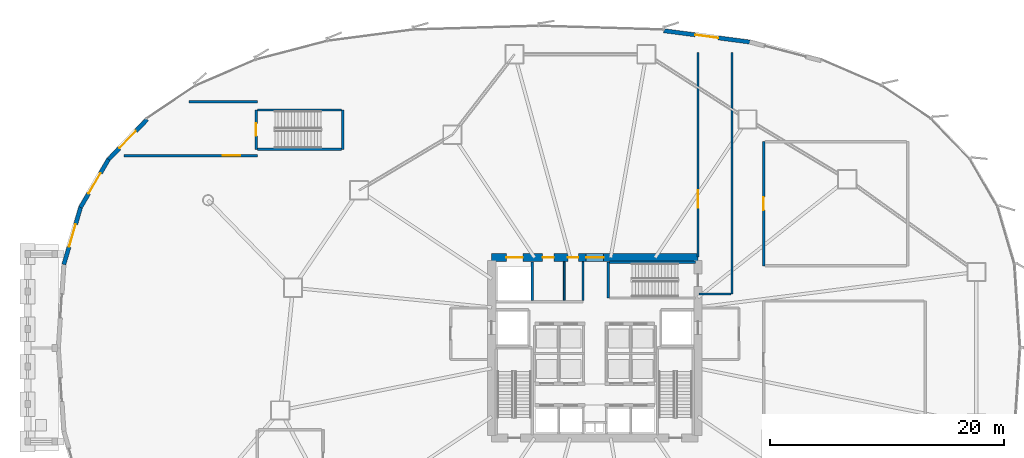
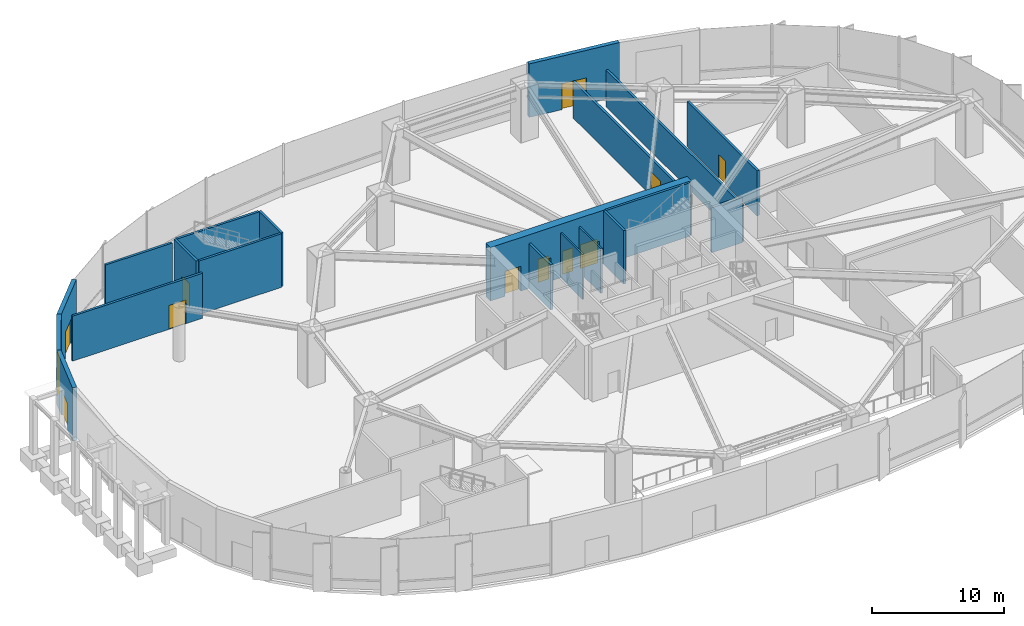
# One storey, part 25 of 35: 20 walls, 12 doors, 12 openings.
"""IFC4 building model written with IfcOpenShell, lengths in metres."""

from ifc_helpers import new_model, si_unit, direction, frame, frame_2d, origin, place, context, subcontext, project, spatial, rectangle, extrude, source, transform, mapped, material, layer, layer_set, type_object, element, fill, save


model = new_model("IFC4")

# Units and contexts
model_context = context("Model", 3, precision=1e-05, world=origin(), true_north=direction((0.0, 1.0)))
body_context = subcontext(model_context, "Body", "Model", "MODEL_VIEW")
ifc_project = project(units=[si_unit("LENGTHUNIT", "METRE"), si_unit("AREAUNIT", "SQUARE_METRE"), si_unit("VOLUMEUNIT", "CUBIC_METRE"), si_unit("PLANEANGLEUNIT", "RADIAN"), si_unit("MASSUNIT", "GRAM", prefix="KILO"), si_unit("THERMODYNAMICTEMPERATUREUNIT", "KELVIN")], contexts=[model_context])

# Site, building, storey
site_placement = place(None, origin())
site = spatial("IfcSite", under=ifc_project, at=site_placement, CompositionType="ELEMENT")
building_placement = place(site_placement, origin())
building = spatial("IfcBuilding", under=site, at=building_placement, Name="Kethvar Cultural Tower", CompositionType="ELEMENT")
storey_placement = place(building_placement, origin())
storey = spatial("IfcBuildingStorey", under=building, at=storey_placement, Name="L00", CompositionType="ELEMENT", Elevation=0.0)

# Wall, openings, doors
ifc_material_1 = material(Name="Concrete C60/75", Category="concrete")
ifc_layer_1 = layer(ifc_material_1, 0.699951171875, Name="Concrete C60/75", Category="concrete")
ifc_layer_set_1 = layer_set([ifc_layer_1], Name="Concrete C60/75 (700 mm)")
wall_type_1 = type_object("IfcWallType", Name="WL-CORE-700", PredefinedType="SHEAR", material=ifc_layer_set_1)
wall_1_placement = place(storey_placement, frame((55.60009765625, 35.5, 0.0), z_axis=(0.0, 0.0, 1.0), x_axis=(-1.0, 0.0, 0.0)))
wall_1 = element("IfcWall", 1, at=wall_1_placement, inside=storey, type_object=wall_type_1, Name="L00 Core Shear Wall N", PredefinedType="SHEAR", context=body_context, shape_type="SweptSolid", body=[
    extrude(rectangle(XDim=17.60009765625, YDim=0.699951171875, at=frame_2d((8.800048828125, 0.0))), origin(), (0.0, 0.0, 1.0), 4.949951171875),
])
opening_1_placement = place(wall_1_placement, frame((8.050048828125, 0.0, 0.0)))
opening_1 = element("IfcOpeningElement", 2, at=opening_1_placement, cuts=wall_1, Name="Opening D-L00-LN", PredefinedType="OPENING", context=body_context, shape_type="SweptSolid", body=[
    extrude(rectangle(XDim=1.5, YDim=2.199951171875, at=frame_2d((0.75, 1.10009765625))), frame((0.0, 0.35986328125, 0.0), z_axis=(0.0, -1.0, 0.0), x_axis=(1.0, 0.0, 0.0)), (0.0, 0.0, 1.0), 0.719970703125),
])
opening_2_placement = place(wall_1_placement, frame((14.949951171875, 0.0, 0.0)))
opening_2 = element("IfcOpeningElement", 3, at=opening_2_placement, cuts=wall_1, Name="Opening LD-G1", PredefinedType="OPENING", context=body_context, shape_type="SweptSolid", body=[
    extrude(rectangle(XDim=1.39990234375, YDim=2.300048828125, at=frame_2d((0.699951171875, 1.14990234375))), frame((0.0, 0.35986328125, 0.0), z_axis=(0.0, -1.0, 0.0), x_axis=(1.0, 0.0, 0.0)), (0.0, 0.0, 1.0), 0.719970703125),
])
opening_3_placement = place(wall_1_placement, frame((12.300048828125, 0.0, 0.0)))
opening_3 = element("IfcOpeningElement", 4, at=opening_3_placement, cuts=wall_1, Name="Opening D-L00-W1", PredefinedType="OPENING", context=body_context, shape_type="SweptSolid", body=[
    extrude(rectangle(XDim=0.949951171875, YDim=2.14990234375, at=frame_2d((0.47509765625, 1.074951171875))), frame((0.0, 0.35986328125, 0.0), z_axis=(0.0, -1.0, 0.0), x_axis=(1.0, 0.0, 0.0)), (0.0, 0.0, 1.0), 0.719970703125),
])
opening_4_placement = place(wall_1_placement, frame((10.199951171875, 0.0, 0.0)))
opening_4 = element("IfcOpeningElement", 5, at=opening_4_placement, cuts=wall_1, Name="Opening D-L00-W2", PredefinedType="OPENING", context=body_context, shape_type="SweptSolid", body=[
    extrude(rectangle(XDim=0.89990234375, YDim=2.14990234375, at=frame_2d((0.449951171875, 1.074951171875))), frame((0.0, 0.35986328125, 0.0), z_axis=(0.0, -1.0, 0.0), x_axis=(1.0, 0.0, 0.0)), (0.0, 0.0, 1.0), 0.719970703125),
])
ifc_material_2 = material(Name="Architectural Oak Timber", Category="wood")
door_type_1 = type_object("IfcDoorType", Name="DR-DBL-FD60-1500", OperationType="DOUBLE_DOOR_SINGLE_SWING", PredefinedType="DOOR", material=ifc_material_2)
shared_shape_1 = source(origin(), body_context, "Body", "SweptSolid", [
    extrude(rectangle(XDim=1.5, YDim=2.199951171875, at=frame_2d((0.75, 1.10009765625))), frame((0.0, 0.02490234375, 0.0), z_axis=(0.0, -1.0, 0.0), x_axis=(1.0, 0.0, 0.0)), (0.0, 0.0, 1.0), 0.050048828125),
])
door_1_placement = place(opening_1_placement, origin())
door_1 = element("IfcDoor", 6, at=door_1_placement, inside=storey, type_object=door_type_1, Name="L00 Lift Lobby Concourse Door", OperationType="DOUBLE_DOOR_SINGLE_SWING", OverallHeight=2.199951171875, OverallWidth=1.5, PredefinedType="DOOR", context=body_context, shape_type="MappedRepresentation", body=[
    mapped(shared_shape_1, transform((0.0, 0.0, 0.0), scale=1.0)),
])
fill(opening_1, door_1)
ifc_material_3 = material(Name="Steel S355J2", Category="steel")
door_type_2 = type_object("IfcDoorType", Name="DR-LIFT-SLIDE-1400", OperationType="NOTDEFINED", PredefinedType="DOOR", material=ifc_material_3)
shared_shape_2 = source(origin(), body_context, "Body", "SweptSolid", [
    extrude(rectangle(XDim=1.39990234375, YDim=2.300048828125, at=frame_2d((0.699951171875, 1.14990234375))), frame((0.0, 0.02490234375, 0.0), z_axis=(0.0, -1.0, 0.0), x_axis=(1.0, 0.0, 0.0)), (0.0, 0.0, 1.0), 0.050048828125),
])
door_2_placement = place(opening_2_placement, origin())
door_2 = element("IfcDoor", 7, at=door_2_placement, inside=storey, type_object=door_type_2, Name="L00 Goods Lift Landing Door", OperationType="SLIDING_TO_RIGHT", OverallHeight=2.300048828125, OverallWidth=1.39990234375, PredefinedType="DOOR", context=body_context, shape_type="MappedRepresentation", body=[
    mapped(shared_shape_2, transform((0.0, 0.0, 0.0), scale=1.0)),
])
fill(opening_2, door_2)
door_type_3 = type_object("IfcDoorType", Name="DR-FD30-950", OperationType="NOTDEFINED", PredefinedType="DOOR", material=ifc_material_2)
shared_shape_3 = source(origin(), body_context, "Body", "SweptSolid", [
    extrude(rectangle(XDim=0.949951171875, YDim=2.14990234375, at=frame_2d((0.47509765625, 1.074951171875))), frame((0.0, 0.02490234375, 0.0), z_axis=(0.0, -1.0, 0.0), x_axis=(1.0, 0.0, 0.0)), (0.0, 0.0, 1.0), 0.050048828125),
])
door_3_placement = place(opening_3_placement, origin())
door_3 = element("IfcDoor", 8, at=door_3_placement, inside=storey, type_object=door_type_3, Name="L00 Public Washroom Door", OperationType="SINGLE_SWING_LEFT", OverallHeight=2.14990234375, OverallWidth=0.949951171875, PredefinedType="DOOR", context=body_context, shape_type="MappedRepresentation", body=[
    mapped(shared_shape_3, transform((0.0, 0.0, 0.0), scale=1.0)),
])
fill(opening_3, door_3)
door_type_4 = type_object("IfcDoorType", Name="DR-FD30-900", OperationType="NOTDEFINED", PredefinedType="DOOR", material=ifc_material_2)
shared_shape_4 = source(origin(), body_context, "Body", "SweptSolid", [
    extrude(rectangle(XDim=0.89990234375, YDim=2.14990234375, at=frame_2d((0.449951171875, 1.074951171875))), frame((0.0, 0.02490234375, 0.0), z_axis=(0.0, -1.0, 0.0), x_axis=(1.0, 0.0, 0.0)), (0.0, 0.0, 1.0), 0.050048828125),
])
door_4_placement = place(opening_4_placement, origin())
door_4 = element("IfcDoor", 9, at=door_4_placement, inside=storey, type_object=door_type_4, Name="L00 Accessible Washroom Door", OperationType="SINGLE_SWING_RIGHT", OverallHeight=2.14990234375, OverallWidth=0.89990234375, PredefinedType="DOOR", context=body_context, shape_type="MappedRepresentation", body=[
    mapped(shared_shape_4, transform((0.0, 0.0, 0.0), scale=1.0)),
])
fill(opening_4, door_4)

# Wall, opening, door
ifc_material_4 = material(Name="Concrete C40/50", Category="concrete")
ifc_layer_2 = layer(ifc_material_4, 0.35009765625, Name="Concrete C40/50", Category="concrete")
ifc_layer_set_2 = layer_set([ifc_layer_2], Name="Concrete C40/50 (350 mm)")
wall_type_2 = type_object("IfcWallType", Name="WL-EXT-PORTAL-350", PredefinedType="SOLIDWALL", material=ifc_layer_set_2)
wall_2_placement = place(storey_placement, frame((52.687255859375, 54.85888671875, 0.0), z_axis=(0.0, 0.0, 1.0), x_axis=(0.991427089323, -0.130661113403, 0.0)))
wall_2 = element("IfcWall", 10, at=wall_2_placement, inside=storey, type_object=wall_type_2, Name="L00 Exterior Portal Wall 08", PredefinedType="SOLIDWALL", context=body_context, shape_type="SweptSolid", body=[
    extrude(rectangle(XDim=7.3974609375, YDim=0.35009765625, at=frame_2d((3.69873046875, 0.0))), origin(), (0.0, 0.0, 1.0), 4.949951171875),
])
opening_5_placement = place(wall_2_placement, frame((2.69873046875, 0.0, 0.0)))
opening_5 = element("IfcOpeningElement", 11, at=opening_5_placement, cuts=wall_2, Name="Opening EX-01", PredefinedType="OPENING", context=body_context, shape_type="SweptSolid", body=[
    extrude(rectangle(XDim=2.0, YDim=2.39990234375, at=frame_2d((1.0, 1.199951171875))), frame((0.0, 0.18505859375, 0.0), z_axis=(0.0, -1.0, 0.0), x_axis=(1.0, 0.0, 0.0)), (0.0, 0.0, 1.0), 0.3701171875),
])
ifc_material_5 = material(Name="Aluminium 6063-T6", Category="aluminium")
door_type_5 = type_object("IfcDoorType", Name="DR-EXT-EXIT-2000", OperationType="DOUBLE_DOOR_SINGLE_SWING", PredefinedType="DOOR", material=ifc_material_5)
shared_shape_5 = source(origin(), body_context, "Body", "SweptSolid", [
    extrude(rectangle(XDim=2.0, YDim=2.39990234375, at=frame_2d((1.0, 1.199951171875))), frame((0.0, 0.02490234375, 0.0), z_axis=(0.0, -1.0, 0.0), x_axis=(1.0, 0.0, 0.0)), (0.0, 0.0, 1.0), 0.050048828125),
])
door_5_placement = place(opening_5_placement, origin())
door_5 = element("IfcDoor", 12, at=door_5_placement, inside=storey, type_object=door_type_5, Name="Ground Pedestrian Exit Door EX-01", OperationType="DOUBLE_DOOR_SINGLE_SWING", OverallHeight=2.39990234375, OverallWidth=2.0, PredefinedType="DOOR", context=body_context, shape_type="MappedRepresentation", body=[
    mapped(shared_shape_5, transform((0.0, 0.0, 0.0), scale=1.0)),
])
fill(opening_5, door_5)

wall_3_placement = place(storey_placement, frame((5.27392578125, 43.84130859375, 0.0), z_axis=(0.0, 0.0, 1.0), x_axis=(0.693368389068, 0.720583289455, 0.0)))
wall_3 = element("IfcWall", 13, at=wall_3_placement, inside=storey, type_object=wall_type_2, Name="L00 Exterior Portal Wall 15", PredefinedType="SOLIDWALL", context=body_context, shape_type="SweptSolid", body=[
    extrude(rectangle(XDim=4.79052734375, YDim=0.35009765625, at=frame_2d((2.395263671875, 0.0))), origin(), (0.0, 0.0, 1.0), 4.949951171875),
])
opening_6_placement = place(wall_3_placement, frame((1.395263671875, 0.0, 0.0)))
opening_6 = element("IfcOpeningElement", 14, at=opening_6_placement, cuts=wall_3, Name="Opening EX-02", PredefinedType="OPENING", context=body_context, shape_type="SweptSolid", body=[
    extrude(rectangle(XDim=2.0, YDim=2.39990234375, at=frame_2d((1.0, 1.199951171875))), frame((0.0, 0.18505859375, 0.0), z_axis=(0.0, -1.0, 0.0), x_axis=(1.0, 0.0, 0.0)), (0.0, 0.0, 1.0), 0.3701171875),
])
door_6_placement = place(opening_6_placement, origin())
door_6 = element("IfcDoor", 15, at=door_6_placement, inside=storey, type_object=door_type_5, Name="Ground Pedestrian Exit Door EX-02", OperationType="DOUBLE_DOOR_SINGLE_SWING", OverallHeight=2.39990234375, OverallWidth=2.0, PredefinedType="DOOR", context=body_context, shape_type="MappedRepresentation", body=[
    mapped(shared_shape_5, transform((0.0, 0.0, 0.0), scale=1.0)),
])
fill(opening_6, door_6)

wall_4_placement = place(storey_placement, frame((2.9150390625, 39.781005859375, 0.0), z_axis=(0.0, 0.0, 1.0), x_axis=(0.503519292696, 0.863983982423, 0.0)))
wall_4 = element("IfcWall", 16, at=wall_4_placement, inside=storey, type_object=wall_type_2, Name="L00 Exterior Portal Wall 16", PredefinedType="SOLIDWALL", context=body_context, shape_type="SweptSolid", body=[
    extrude(rectangle(XDim=4.747802734375, YDim=0.35009765625, at=frame_2d((2.3740234375, 0.0))), origin(), (0.0, 0.0, 1.0), 4.949951171875),
])
opening_7_placement = place(wall_4_placement, frame((1.373779296875, 0.0, 0.0)))
opening_7 = element("IfcOpeningElement", 17, at=opening_7_placement, cuts=wall_4, Name="Opening EX-03", PredefinedType="OPENING", context=body_context, shape_type="SweptSolid", body=[
    extrude(rectangle(XDim=2.0, YDim=2.39990234375, at=frame_2d((1.0, 1.199951171875))), frame((0.0, 0.18505859375, 0.0), z_axis=(0.0, -1.0, 0.0), x_axis=(1.0, 0.0, 0.0)), (0.0, 0.0, 1.0), 0.3701171875),
])
door_7_placement = place(opening_7_placement, origin())
door_7 = element("IfcDoor", 18, at=door_7_placement, inside=storey, type_object=door_type_5, Name="Ground Pedestrian Exit Door EX-03", OperationType="DOUBLE_DOOR_SINGLE_SWING", OverallHeight=2.39990234375, OverallWidth=2.0, PredefinedType="DOOR", context=body_context, shape_type="MappedRepresentation", body=[
    mapped(shared_shape_5, transform((0.0, 0.0, 0.0), scale=1.0)),
])
fill(opening_7, door_7)

wall_5_placement = place(storey_placement, frame((1.493408203125, 34.91650390625, 0.0), z_axis=(0.0, 0.0, 1.0), x_axis=(0.281735210535, 0.959492194416, 0.0)))
wall_5 = element("IfcWall", 19, at=wall_5_placement, inside=storey, type_object=wall_type_2, Name="L00 Exterior Portal Wall 17", PredefinedType="SOLIDWALL", context=body_context, shape_type="SweptSolid", body=[
    extrude(rectangle(XDim=5.12060546875, YDim=0.35009765625, at=frame_2d((2.560302734375, 0.0))), origin(), (0.0, 0.0, 1.0), 4.949951171875),
])
opening_8_placement = place(wall_5_placement, frame((1.560302734375, 0.0, 0.0)))
opening_8 = element("IfcOpeningElement", 20, at=opening_8_placement, cuts=wall_5, Name="Opening EX-04", PredefinedType="OPENING", context=body_context, shape_type="SweptSolid", body=[
    extrude(rectangle(XDim=2.0, YDim=2.39990234375, at=frame_2d((1.0, 1.199951171875))), frame((0.0, 0.18505859375, 0.0), z_axis=(0.0, -1.0, 0.0), x_axis=(1.0, 0.0, 0.0)), (0.0, 0.0, 1.0), 0.3701171875),
])
door_8_placement = place(opening_8_placement, origin())
door_8 = element("IfcDoor", 21, at=door_8_placement, inside=storey, type_object=door_type_5, Name="Ground Pedestrian Exit Door EX-04", OperationType="DOUBLE_DOOR_SINGLE_SWING", OverallHeight=2.39990234375, OverallWidth=2.0, PredefinedType="DOOR", context=body_context, shape_type="MappedRepresentation", body=[
    mapped(shared_shape_5, transform((0.0, 0.0, 0.0), scale=1.0)),
])
fill(opening_8, door_8)

# Walls
ifc_material_6 = material(Name="Gypsum Fireboard Partition")
ifc_layer_3 = layer(ifc_material_6, 0.14990234375, Name="Gypsum Fireboard Partition")
ifc_layer_set_3 = layer_set([ifc_layer_3], Name="Gypsum Fireboard Partition (150 mm)")
wall_type_3 = type_object("IfcWallType", Name="WL-FIRE-150", PredefinedType="PARTITIONING", material=ifc_layer_set_3)
wall_6_placement = place(storey_placement, frame((45.800048828125, 31.85009765625, 0.0), z_axis=(0.0, 0.0, 1.0), x_axis=(0.0, 1.0, 0.0)))
element("IfcWall", 22, at=wall_6_placement, inside=storey, type_object=wall_type_3, Name="L00 Sanitary Spine Wall", PredefinedType="PARTITIONING", context=body_context, shape_type="SweptSolid", body=[
    extrude(rectangle(XDim=3.289794921875, YDim=0.14990234375, at=frame_2d((1.64501953125, 0.0))), origin(), (0.0, 0.0, 1.0), 4.1630859375),
])
ifc_layer_4 = layer(ifc_material_4, 0.199951171875, Name="Concrete C40/50", Category="concrete")
ifc_layer_set_4 = layer_set([ifc_layer_4], Name="Concrete C40/50 (200 mm)")
wall_type_4 = type_object("IfcWallType", Name="WL-FIRE-200", PredefinedType="PARTITIONING", material=ifc_layer_set_4)
wall_7_placement = place(storey_placement, frame((41.449951171875, 31.85009765625, 0.0), z_axis=(0.0, 0.0, 1.0), x_axis=(0.0, 1.0, 0.0)))
element("IfcWall", 23, at=wall_7_placement, inside=storey, type_object=wall_type_4, Name="L00 NW Core Pocket Wall", PredefinedType="PARTITIONING", context=body_context, shape_type="SweptSolid", body=[
    extrude(rectangle(XDim=3.289794921875, YDim=0.199951171875, at=frame_2d((1.64501953125, 0.0))), origin(), (0.0, 0.0, 1.0), 4.1630859375),
])

# Wall, opening, door
wall_8_placement = place(storey_placement, frame((61.199951171875, 34.800048828125, 0.0), z_axis=(0.0, 0.0, 1.0), x_axis=(0.0, 1.0, 0.0)))
wall_8 = element("IfcWall", 24, at=wall_8_placement, inside=storey, type_object=wall_type_4, Name="L00 Museum Cafe and Servery Entry Wall", PredefinedType="PARTITIONING", context=body_context, shape_type="SweptSolid", body=[
    extrude(rectangle(XDim=10.599853515625, YDim=0.199951171875, at=frame_2d((5.2998046875, 0.0))), origin(), (0.0, 0.0, 1.0), 4.1630859375),
])
opening_9_placement = place(wall_8_placement, frame((4.75, 0.0, 0.0)))
opening_9 = element("IfcOpeningElement", 25, at=opening_9_placement, cuts=wall_8, Name="Opening D-L00-CA", PredefinedType="OPENING", context=body_context, shape_type="SweptSolid", body=[
    extrude(rectangle(XDim=1.10009765625, YDim=2.14990234375, at=frame_2d((0.550048828125, 1.074951171875))), frame((0.0, 0.10986328125, 0.0), z_axis=(0.0, -1.0, 0.0), x_axis=(1.0, 0.0, 0.0)), (0.0, 0.0, 1.0), 0.219970703125),
])
door_type_6 = type_object("IfcDoorType", Name="DR-FD60-1100", OperationType="NOTDEFINED", PredefinedType="DOOR", material=ifc_material_3)
shared_shape_6 = source(origin(), body_context, "Body", "SweptSolid", [
    extrude(rectangle(XDim=1.10009765625, YDim=2.14990234375, at=frame_2d((0.550048828125, 1.074951171875))), frame((0.0, 0.02490234375, 0.0), z_axis=(0.0, -1.0, 0.0), x_axis=(1.0, 0.0, 0.0)), (0.0, 0.0, 1.0), 0.050048828125),
])
door_9_placement = place(opening_9_placement, origin())
door_9 = element("IfcDoor", 26, at=door_9_placement, inside=storey, type_object=door_type_6, Name="Museum Cafe and Servery Door", OperationType="SINGLE_SWING_LEFT", OverallHeight=2.14990234375, OverallWidth=1.10009765625, PredefinedType="DOOR", context=body_context, shape_type="MappedRepresentation", body=[
    mapped(shared_shape_6, transform((0.0, 0.0, 0.0), scale=1.0)),
])
fill(opening_9, door_9)

wall_9_placement = place(storey_placement, frame((6.632080078125, 44.199951171875, 0.0), z_axis=(0.0, 0.0, 1.0), x_axis=(1.0, 0.0, 0.0)))
wall_9 = element("IfcWall", 27, at=wall_9_placement, inside=storey, type_object=wall_type_4, Name="L00 ST-05 Exit Passageway South Fire Wall", PredefinedType="PARTITIONING", context=body_context, shape_type="SweptSolid", body=[
    extrude(rectangle(XDim=11.367919921875, YDim=0.199951171875, at=frame_2d((5.68408203125, 0.0))), origin(), (0.0, 0.0, 1.0), 4.1630859375),
])
opening_10_placement = place(wall_9_placement, frame((8.39990234375, 0.0, 0.0)))
opening_10 = element("IfcOpeningElement", 28, at=opening_10_placement, cuts=wall_9, Name="Opening D-L00-EN", PredefinedType="OPENING", context=body_context, shape_type="SweptSolid", body=[
    extrude(rectangle(XDim=1.5, YDim=2.199951171875, at=frame_2d((0.75, 1.10009765625))), frame((0.0, 0.10986328125, 0.0), z_axis=(0.0, -1.0, 0.0), x_axis=(1.0, 0.0, 0.0)), (0.0, 0.0, 1.0), 0.219970703125),
])
door_10_placement = place(opening_10_placement, origin())
door_10 = element("IfcDoor", 29, at=door_10_placement, inside=storey, type_object=door_type_1, Name="L00 ST-05 Exit Passageway Lobby Door", OperationType="DOUBLE_DOOR_SINGLE_SWING", OverallHeight=2.199951171875, OverallWidth=1.5, PredefinedType="DOOR", context=body_context, shape_type="MappedRepresentation", body=[
    mapped(shared_shape_1, transform((0.0, 0.0, 0.0), scale=1.0)),
])
fill(opening_10, door_10)

# Walls
wall_10_placement = place(storey_placement, frame((12.165283203125, 48.800048828125, 0.0), z_axis=(0.0, 0.0, 1.0), x_axis=(1.0, 0.0, 0.0)))
element("IfcWall", 30, at=wall_10_placement, inside=storey, type_object=wall_type_4, Name="L00 ST-05 Exit Passageway North Fire Wall", PredefinedType="PARTITIONING", context=body_context, shape_type="SweptSolid", body=[
    extrude(rectangle(XDim=5.834716796875, YDim=0.199951171875, at=frame_2d((2.91748046875, 0.0))), origin(), (0.0, 0.0, 1.0), 4.1630859375),
])
wall_11_placement = place(storey_placement, frame((58.5, 32.39990234375, 0.0), z_axis=(0.0, 0.0, 1.0), x_axis=(0.0, 1.0, 0.0)))
element("IfcWall", 31, at=wall_11_placement, inside=storey, type_object=wall_type_4, Name="L00 ST-03 Exit Passageway East Fire Wall", PredefinedType="PARTITIONING", context=body_context, shape_type="SweptSolid", body=[
    extrude(rectangle(XDim=20.60009765625, YDim=0.199951171875, at=frame_2d((10.300048828125, 0.0))), origin(), (0.0, 0.0, 1.0), 3.405029296875),
])
wall_12_placement = place(storey_placement, frame((55.699951171875, 32.39990234375, 0.0), z_axis=(0.0, 0.0, 1.0), x_axis=(1.0, 0.0, 0.0)))
element("IfcWall", 32, at=wall_12_placement, inside=storey, type_object=wall_type_4, Name="L00 ST-03 Exit Passageway South Fire Wall", PredefinedType="PARTITIONING", context=body_context, shape_type="SweptSolid", body=[
    extrude(rectangle(XDim=2.699951171875, YDim=0.199951171875, at=frame_2d((1.35009765625, 0.0))), origin(), (0.0, 0.0, 1.0), 4.1630859375),
])

# Wall, opening, door
wall_13_placement = place(storey_placement, frame((55.60009765625, 35.550048828125, 0.0), z_axis=(0.0, 0.0, 1.0), x_axis=(0.0, 1.0, 0.0)))
wall_13 = element("IfcWall", 33, at=wall_13_placement, inside=storey, type_object=wall_type_4, Name="L00 ST-03 Exit Passageway West Fire Wall", PredefinedType="PARTITIONING", context=body_context, shape_type="SweptSolid", body=[
    extrude(rectangle(XDim=17.449951171875, YDim=0.199951171875, at=frame_2d((8.72509765625, 0.0))), origin(), (0.0, 0.0, 1.0), 3.405029296875),
])
opening_11_placement = place(wall_13_placement, frame((4.199951171875, 0.0, 0.0)))
opening_11 = element("IfcOpeningElement", 34, at=opening_11_placement, cuts=wall_13, Name="Opening D-L00-EE", PredefinedType="OPENING", context=body_context, shape_type="SweptSolid", body=[
    extrude(rectangle(XDim=1.5, YDim=2.199951171875, at=frame_2d((0.75, 1.10009765625))), frame((0.0, 0.10986328125, 0.0), z_axis=(0.0, -1.0, 0.0), x_axis=(1.0, 0.0, 0.0)), (0.0, 0.0, 1.0), 0.219970703125),
])
door_11_placement = place(opening_11_placement, origin())
door_11 = element("IfcDoor", 35, at=door_11_placement, inside=storey, type_object=door_type_1, Name="L00 ST-03 Exit Passageway Lobby Door", OperationType="DOUBLE_DOOR_SINGLE_SWING", OverallHeight=2.199951171875, OverallWidth=1.5, PredefinedType="DOOR", context=body_context, shape_type="MappedRepresentation", body=[
    mapped(shared_shape_1, transform((0.0, 0.0, 0.0), scale=1.0)),
])
fill(opening_11, door_11)

# Walls
ifc_material_7 = material(Name="Moisture-Resistant Sanitary Chase Wall")
ifc_layer_5 = layer(ifc_material_7, 0.14990234375, Name="Moisture-Resistant Sanitary Chase Wall")
ifc_layer_set_5 = layer_set([ifc_layer_5], Name="Moisture-Resistant Sanitary Chase Wall (150 mm)")
wall_type_5 = type_object("IfcWallType", Name="WL-PLUMB-150", PredefinedType="PLUMBINGWALL", material=ifc_layer_set_5)
wall_14_placement = place(storey_placement, frame((44.199951171875, 31.85009765625, 0.0), z_axis=(0.0, 0.0, 1.0), x_axis=(0.0, 1.0, 0.0)))
element("IfcWall", 36, at=wall_14_placement, inside=storey, type_object=wall_type_5, Name="L00 Sanitary Plumbing Wall", PredefinedType="PLUMBINGWALL", context=body_context, shape_type="SweptSolid", body=[
    extrude(rectangle(XDim=3.289794921875, YDim=0.14990234375, at=frame_2d((1.64501953125, 0.0))), origin(), (0.0, 0.0, 1.0), 4.1630859375),
])
ifc_material_8 = material(Name="Concrete C50/60", Category="concrete")
ifc_layer_6 = layer(ifc_material_8, 0.199951171875, Name="Concrete C50/60", Category="concrete")
ifc_layer_set_6 = layer_set([ifc_layer_6], Name="Concrete C50/60 (200 mm)")
wall_type_6 = type_object("IfcWallType", Name="WL-STSHAFT-200", PredefinedType="SHEAR", material=ifc_layer_set_6)
wall_15_placement = place(storey_placement, frame((47.949951171875, 32.050048828125, 0.0), z_axis=(0.0, 0.0, 1.0), x_axis=(0.0, 1.0, 0.0)))
element("IfcWall", 37, at=wall_15_placement, inside=storey, type_object=wall_type_6, Name="L00 ST-03 Stair Shaft Wall FAR", PredefinedType="SHEAR", context=body_context, shape_type="SweptSolid", body=[
    extrude(rectangle(XDim=3.06005859375, YDim=0.199951171875, at=frame_2d((1.530029296875, 0.0))), origin(), (0.0, 0.0, 1.0), 4.949951171875),
])
wall_16_placement = place(storey_placement, frame((48.050048828125, 35.110107421875, 0.0), z_axis=(0.0, 0.0, 1.0), x_axis=(1.0, 0.0, 0.0)))
element("IfcWall", 38, at=wall_16_placement, inside=storey, type_object=wall_type_6, Name="L00 ST-03 Stair Shaft Wall LEFT", PredefinedType="SHEAR", context=body_context, shape_type="SweptSolid", body=[
    extrude(rectangle(XDim=7.349853515625, YDim=0.199951171875, at=frame_2d((3.6748046875, 0.0))), origin(), (0.0, 0.0, 1.0), 4.949951171875),
])

# Wall, opening, door
wall_17_placement = place(storey_placement, frame((17.89990234375, 44.739990234375, 0.0), z_axis=(0.0, 0.0, 1.0), x_axis=(0.0, 1.0, 0.0)))
wall_17 = element("IfcWall", 39, at=wall_17_placement, inside=storey, type_object=wall_type_6, Name="L00 ST-05 Stair Shaft Wall NEAR", PredefinedType="SHEAR", context=body_context, shape_type="SweptSolid", body=[
    extrude(rectangle(XDim=3.360107421875, YDim=0.199951171875, at=frame_2d((1.68017578125, 0.0))), origin(), (0.0, 0.0, 1.0), 4.949951171875),
])
opening_12_placement = place(wall_17_placement, frame((1.155029296875, 0.0, 0.0)))
opening_12 = element("IfcOpeningElement", 40, at=opening_12_placement, cuts=wall_17, Name="Opening D-L00-ST5", PredefinedType="OPENING", context=body_context, shape_type="SweptSolid", body=[
    extrude(rectangle(XDim=1.050048828125, YDim=2.14990234375, at=frame_2d((0.52490234375, 1.074951171875))), frame((0.0, 0.10986328125, 0.0), z_axis=(0.0, -1.0, 0.0), x_axis=(1.0, 0.0, 0.0)), (0.0, 0.0, 1.0), 0.219970703125),
])
door_type_7 = type_object("IfcDoorType", Name="DR-FD60-1050", OperationType="NOTDEFINED", PredefinedType="DOOR", material=ifc_material_3)
shared_shape_7 = source(origin(), body_context, "Body", "SweptSolid", [
    extrude(rectangle(XDim=1.050048828125, YDim=2.14990234375, at=frame_2d((0.52490234375, 1.074951171875))), frame((0.0, 0.02490234375, 0.0), z_axis=(0.0, -1.0, 0.0), x_axis=(1.0, 0.0, 0.0)), (0.0, 0.0, 1.0), 0.050048828125),
])
door_12_placement = place(opening_12_placement, origin())
door_12 = element("IfcDoor", 41, at=door_12_placement, inside=storey, type_object=door_type_7, Name="L00 ST-05 Stair Landing Fire Door", OperationType="SINGLE_SWING_LEFT", OverallHeight=2.14990234375, OverallWidth=1.050048828125, PredefinedType="DOOR", context=body_context, shape_type="MappedRepresentation", body=[
    mapped(shared_shape_7, transform((0.0, 0.0, 0.0), scale=1.0)),
])
fill(opening_12, door_12)

# Walls
wall_18_placement = place(storey_placement, frame((25.300048828125, 48.10009765625, 0.0), z_axis=(0.0, 0.0, 1.0), x_axis=(0.0, -1.0, 0.0)))
element("IfcWall", 42, at=wall_18_placement, inside=storey, type_object=wall_type_6, Name="L00 ST-05 Stair Shaft Wall FAR", PredefinedType="SHEAR", context=body_context, shape_type="SweptSolid", body=[
    extrude(rectangle(XDim=3.360107421875, YDim=0.199951171875, at=frame_2d((1.68017578125, 0.0))), origin(), (0.0, 0.0, 1.0), 4.949951171875),
])
for number, where, z_axis, x_axis, name in (
    (43, (25.199951171875, 44.739990234375, 0.0), (0.0, 0.0, 1.0), (-1.0, 0.0, 0.0), "L00 ST-05 Stair Shaft Wall LEFT"),
    (44, (18.0, 48.10009765625, 0.0), (0.0, 0.0, 1.0), (1.0, 0.0, 0.0), "L00 ST-05 Stair Shaft Wall RIGHT"),
):
    element("IfcWall", number, at=place(storey_placement, frame(where, z_axis=z_axis, x_axis=x_axis)), inside=storey, type_object=wall_type_6, Name=name, PredefinedType="SHEAR", context=body_context, shape_type="SweptSolid", body=[
        extrude(rectangle(XDim=7.199951171875, YDim=0.199951171875, at=frame_2d((3.60009765625, 0.0))), origin(), (0.0, 0.0, 1.0), 4.949951171875),
    ])

save(model, "model.ifc")
